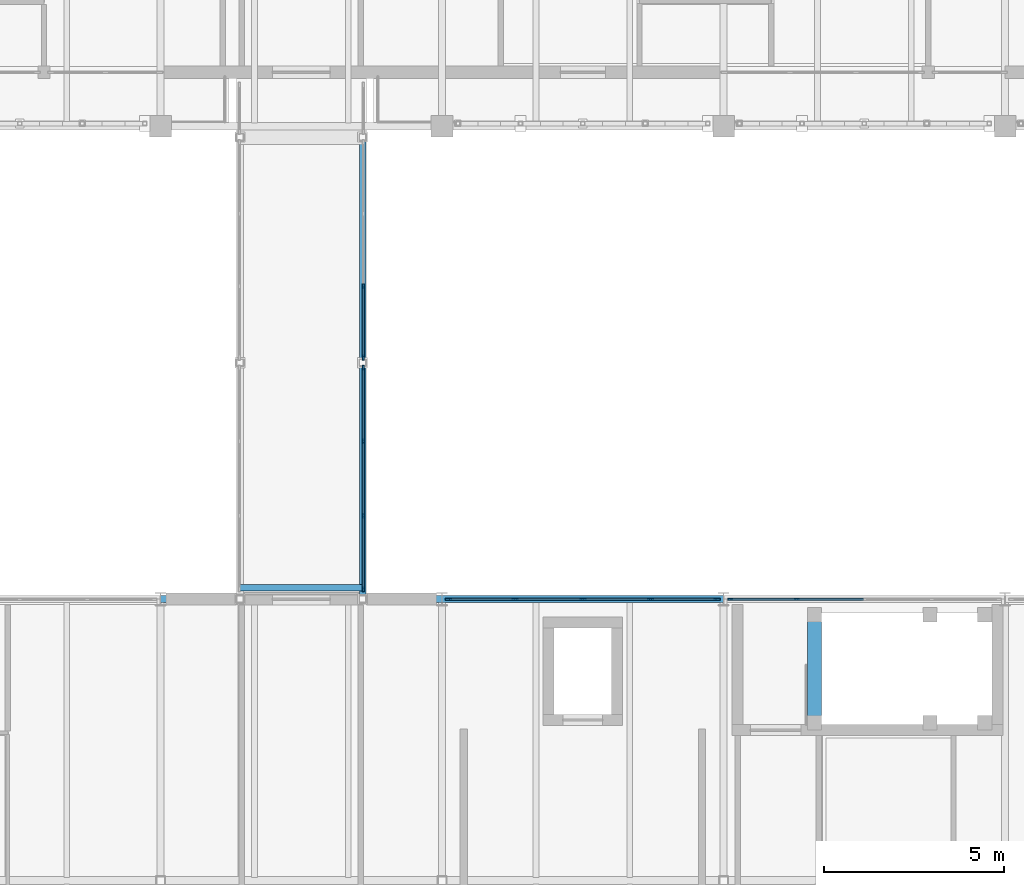
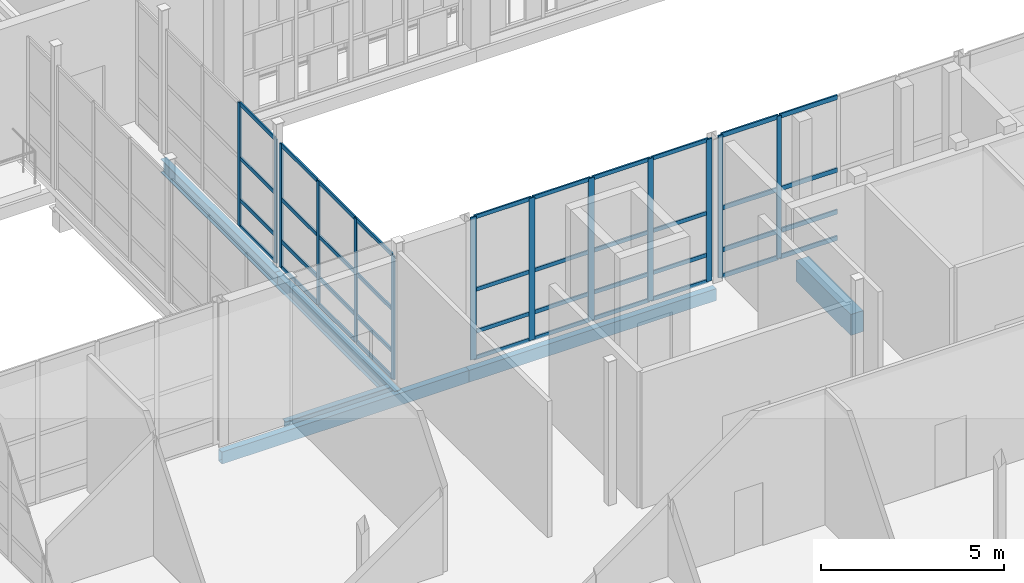
# One storey, part 68 of 138: 53 members, 6 beams, 4 elements without a shape of their own.
"""IFC4 building model written with IfcOpenShell, lengths in metres."""

from ifc_helpers import new_model, si_unit, direction, frame, origin, origin_2d, place, context, subcontext, project, spatial, rectangle, hollow_rectangle, i_section, extrude, material, layer, layer_set, material_profile, profile_set, type_object, element, aggregate, save


model = new_model("IFC4")

# Units and contexts
model_context = context("Model", 3, precision=1e-05, world=origin(), true_north=direction((0.0, 1.0)))
body_context = subcontext(model_context, "Body", "Model", "MODEL_VIEW")
ifc_project = project(units=[si_unit("LENGTHUNIT", "METRE"), si_unit("AREAUNIT", "SQUARE_METRE"), si_unit("VOLUMEUNIT", "CUBIC_METRE"), si_unit("PLANEANGLEUNIT", "RADIAN"), si_unit("MASSUNIT", "GRAM", prefix="KILO")], contexts=[model_context])

# Site, building, storey
site_placement = place(None, origin())
site = spatial("IfcSite", under=ifc_project, at=site_placement, CompositionType="ELEMENT")
building_placement = place(site_placement, origin())
building = spatial("IfcBuilding", under=site, at=building_placement, Name="Celorna Specialist Clinic", CompositionType="ELEMENT")
storey_placement = place(building_placement, frame((0.0, 0.0, 4.800048828125)))
storey = spatial("IfcBuildingStorey", under=building, at=storey_placement, Name="L01", CompositionType="ELEMENT", Elevation=4.800048828125)

# Beams
ifc_material_1 = material(Name="Steel S355", Category="steel")
ifc_material_profile_1 = material_profile(ifc_material_1, i_section(OverallWidth=0.18994140625, OverallDepth=0.449951171875, WebThickness=0.009521484375, FlangeThickness=0.0146484375, at=origin_2d()), Name="IPE 450")
ifc_profile_set_1 = profile_set([ifc_material_profile_1], Name="Steel S355")
beam_type_1 = type_object("IfcBeamType", Name="BM-09", PredefinedType="BEAM", material=ifc_profile_set_1)
beam_1_placement = place(storey_placement, frame((146.0, 83.39990234375, -0.445068359375), z_axis=(0.0, 1.0, 0.0), x_axis=(-1.0, 0.0, 0.0)))
element("IfcBeam", 1, at=beam_1_placement, inside=storey, type_object=beam_type_1, Name="Bridge BR-05 edge girder BM-09 #118", PredefinedType="BEAM", context=body_context, shape_type="SweptSolid", body=[
    extrude(i_section(OverallWidth=0.18994140625, OverallDepth=0.449951171875, WebThickness=0.009521484375, FlangeThickness=0.0146484375, at=origin_2d()), origin(), (0.0, 0.0, 1.0), 6.550048828125),
])
beam_2_placement = place(storey_placement, frame((146.0, 89.949951171875, -0.445068359375), z_axis=(0.0, 1.0, 0.0), x_axis=(-1.0, 0.0, 0.0)))
element("IfcBeam", 2, at=beam_2_placement, inside=storey, type_object=beam_type_1, Name="Bridge BR-05 edge girder BM-09 #119", PredefinedType="BEAM", context=body_context, shape_type="SweptSolid", body=[
    extrude(i_section(OverallWidth=0.18994140625, OverallDepth=0.449951171875, WebThickness=0.009521484375, FlangeThickness=0.0146484375, at=origin_2d()), origin(), (0.0, 0.0, 1.0), 6.25),
])
ifc_material_profile_2 = material_profile(ifc_material_1, i_section(OverallWidth=0.179931640625, OverallDepth=0.39990234375, WebThickness=0.008544921875, FlangeThickness=0.013427734375, at=origin_2d()), Name="IPE 400")
ifc_profile_set_2 = profile_set([ifc_material_profile_2], Name="Steel S355")
beam_type_2 = type_object("IfcBeamType", Name="BM-10", PredefinedType="BEAM", material=ifc_profile_set_2)
beam_3_placement = place(storey_placement, frame((142.60009765625, 83.719970703125, -0.420166015625), z_axis=(1.0, 0.0, 0.0), x_axis=(0.0, 1.0, 0.0)))
element("IfcBeam", 3, at=beam_3_placement, inside=storey, type_object=beam_type_2, Name="Bridge BR-05 transverse beam BM-10 #121", PredefinedType="BEAM", context=body_context, shape_type="SweptSolid", body=[
    extrude(i_section(OverallWidth=0.179931640625, OverallDepth=0.39990234375, WebThickness=0.008544921875, FlangeThickness=0.013427734375, at=origin_2d()), origin(), (0.0, 0.0, 1.0), 3.39990234375),
])
ifc_material_profile_3 = material_profile(ifc_material_1, hollow_rectangle(XDim=0.199951171875, YDim=0.39990234375, WallThickness=0.011962890625, at=origin_2d()), Name="RHS 200x400x12")
ifc_profile_set_3 = profile_set([ifc_material_profile_3], Name="Steel S355")
beam_type_3 = type_object("IfcBeamType", Name="BM-15", PredefinedType="SPANDREL", material=ifc_profile_set_3)
for number, where, z_axis, x_axis, name in (
    (4, (140.39990234375, 83.39990234375, -0.4599609375), (1.0, 0.0, 0.0), (0.0, 1.0, 0.0), "Spandrel beam BM-15 #625"),
    (5, (148.199951171875, 83.39990234375, -0.4599609375), (1.0, 0.0, 0.0), (0.0, 1.0, 0.0), "Spandrel beam BM-15 #626"),
):
    element("IfcBeam", number, at=place(storey_placement, frame(where, z_axis=z_axis, x_axis=x_axis)), inside=storey, type_object=beam_type_3, Name=name, PredefinedType="SPANDREL", context=body_context, shape_type="SweptSolid", body=[
        extrude(hollow_rectangle(XDim=0.199951171875, YDim=0.39990234375, WallThickness=0.011962890625, at=origin_2d()), origin(), (0.0, 0.0, 1.0), 7.800048828125),
    ])
ifc_material_2 = material(Name="Concrete C35/45", Category="concrete")
ifc_material_profile_4 = material_profile(ifc_material_2, rectangle(XDim=0.39990234375, YDim=0.699951171875, at=origin_2d()), Name="RC 400x700")
ifc_profile_set_4 = profile_set([ifc_material_profile_4], Name="Concrete C35/45")
beam_type_4 = type_object("IfcBeamType", Name="BM-19", PredefinedType="BEAM", material=ifc_profile_set_4)
beam_4_placement = place(storey_placement, frame((158.52001953125, 79.969970703125, -0.275146484375), z_axis=(0.0, 1.0, 0.0), x_axis=(-1.0, 0.0, 0.0)))
element("IfcBeam", 6, at=beam_4_placement, inside=storey, type_object=beam_type_4, Name="Stair ST-12 floor landing trimmer beam L01", PredefinedType="BEAM", context=body_context, shape_type="SweptSolid", body=[
    extrude(rectangle(XDim=0.39990234375, YDim=0.699951171875, at=origin_2d()), origin(), (0.0, 0.0, 1.0), 3.0),
])

# Curtain wall, members
ifc_material_3 = material(Name="Thermally broken aluminium and solar-control glass curtain wall", Category="aluminium")
ifc_layer_1 = layer(ifc_material_3, 0.159912109375, Name="Thermally broken aluminium and solar-control glass curtain wall")
ifc_layer_set_1 = layer_set([ifc_layer_1], Name="Thermally broken aluminium and solar-control glass curtain wall")
curtain_wall_type_1 = type_object("IfcCurtainWallType", Name="CW-42", PredefinedType="NOTDEFINED", material=ifc_layer_set_1)
curtain_wall_1_placement = place(storey_placement, origin())
curtain_wall_1 = element("IfcCurtainWall", 7, at=curtain_wall_1_placement, inside=storey, type_object=curtain_wall_type_1, Name="Curtain wall CW-42 #81", PredefinedType="NOTDEFINED")
ifc_material_4 = material(Name="Anodized aluminium mullion", Category="aluminium")
ifc_material_profile_5 = material_profile(ifc_material_4, rectangle(XDim=0.050048828125, YDim=0.179931640625, at=origin_2d()), Name="ALU MULLION 50x180")
ifc_profile_set_5 = profile_set([ifc_material_profile_5], Name="Anodized aluminium mullion")
member_type_1 = type_object("IfcMemberType", Name="ML-02", PredefinedType="MULLION", material=ifc_profile_set_5)
member_1_placement = place(storey_placement, frame((148.37890625, 83.39990234375, 0.0), z_axis=(0.0, 0.0, 1.0), x_axis=(0.0, 1.0, 0.0)))
member_1 = element("IfcMember", 8, at=member_1_placement, type_object=member_type_1, Name="CW-42 mullion 1", PredefinedType="MULLION", context=body_context, shape_type="SweptSolid", body=[
    extrude(rectangle(XDim=0.050048828125, YDim=0.179931640625, at=origin_2d()), origin(), (0.0, 0.0, 1.0), 4.75),
])
member_2_placement = place(storey_placement, frame((150.22705078125, 83.39990234375, 0.0), z_axis=(0.0, 0.0, 1.0), x_axis=(0.0, 1.0, 0.0)))
member_2 = element("IfcMember", 9, at=member_2_placement, type_object=member_type_1, Name="CW-42 mullion 2", PredefinedType="MULLION", context=body_context, shape_type="SweptSolid", body=[
    extrude(rectangle(XDim=0.050048828125, YDim=0.179931640625, at=origin_2d()), origin(), (0.0, 0.0, 1.0), 4.75),
])
member_3_placement = place(storey_placement, frame((152.10009765625, 83.39990234375, 0.0), z_axis=(0.0, 0.0, 1.0), x_axis=(0.0, 1.0, 0.0)))
member_3 = element("IfcMember", 10, at=member_3_placement, type_object=member_type_1, Name="CW-42 mullion 3", PredefinedType="MULLION", context=body_context, shape_type="SweptSolid", body=[
    extrude(rectangle(XDim=0.050048828125, YDim=0.179931640625, at=origin_2d()), origin(), (0.0, 0.0, 1.0), 4.75),
])
member_4_placement = place(storey_placement, frame((153.972900390625, 83.39990234375, 0.0), z_axis=(0.0, 0.0, 1.0), x_axis=(0.0, 1.0, 0.0)))
member_4 = element("IfcMember", 11, at=member_4_placement, type_object=member_type_1, Name="CW-42 mullion 4", PredefinedType="MULLION", context=body_context, shape_type="SweptSolid", body=[
    extrude(rectangle(XDim=0.050048828125, YDim=0.179931640625, at=origin_2d()), origin(), (0.0, 0.0, 1.0), 4.75),
])
member_5_placement = place(storey_placement, frame((155.821044921875, 83.39990234375, 0.0), z_axis=(0.0, 0.0, 1.0), x_axis=(0.0, 1.0, 0.0)))
member_5 = element("IfcMember", 12, at=member_5_placement, type_object=member_type_1, Name="CW-42 mullion 5", PredefinedType="MULLION", context=body_context, shape_type="SweptSolid", body=[
    extrude(rectangle(XDim=0.050048828125, YDim=0.179931640625, at=origin_2d()), origin(), (0.0, 0.0, 1.0), 4.75),
])

ifc_layer_2 = layer(ifc_material_3, 0.159912109375, Name="Thermally broken aluminium and solar-control glass curtain wall")
ifc_layer_set_2 = layer_set([ifc_layer_2], Name="Thermally broken aluminium and solar-control glass curtain wall")
curtain_wall_type_2 = type_object("IfcCurtainWallType", Name="CW-40", PredefinedType="NOTDEFINED", material=ifc_layer_set_2)
curtain_wall_2_placement = place(storey_placement, origin())
curtain_wall_2 = element("IfcCurtainWall", 13, at=curtain_wall_2_placement, inside=storey, type_object=curtain_wall_type_2, Name="Curtain wall CW-40 #82", PredefinedType="NOTDEFINED")
ifc_material_profile_6 = material_profile(ifc_material_4, rectangle(XDim=0.050048828125, YDim=0.139892578125, at=origin_2d()), Name="ALU MULLION 50x140")
ifc_profile_set_6 = profile_set([ifc_material_profile_6], Name="Anodized aluminium mullion")
member_type_2 = type_object("IfcMemberType", Name="ML-03", PredefinedType="MULLION", material=ifc_profile_set_6)
member_6_placement = place(storey_placement, frame((156.178955078125, 83.39990234375, 0.0), z_axis=(0.0, 0.0, 1.0), x_axis=(0.0, 1.0, 0.0)))
member_6 = element("IfcMember", 14, at=member_6_placement, type_object=member_type_2, Name="CW-40 mullion 1", PredefinedType="MULLION", context=body_context, shape_type="SweptSolid", body=[
    extrude(rectangle(XDim=0.050048828125, YDim=0.139892578125, at=origin_2d()), origin(), (0.0, 0.0, 1.0), 4.75),
])
member_7_placement = place(storey_placement, frame((158.027099609375, 83.39990234375, 0.0), z_axis=(0.0, 0.0, 1.0), x_axis=(0.0, 1.0, 0.0)))
member_7 = element("IfcMember", 15, at=member_7_placement, type_object=member_type_2, Name="CW-40 mullion 2", PredefinedType="MULLION", context=body_context, shape_type="SweptSolid", body=[
    extrude(rectangle(XDim=0.050048828125, YDim=0.139892578125, at=origin_2d()), origin(), (0.0, 0.0, 1.0), 4.75),
])

ifc_layer_3 = layer(ifc_material_3, 0.159912109375, Name="Thermally broken aluminium and solar-control glass curtain wall")
ifc_layer_set_3 = layer_set([ifc_layer_3], Name="Thermally broken aluminium and solar-control glass curtain wall")
curtain_wall_type_3 = type_object("IfcCurtainWallType", Name="CW-117", PredefinedType="NOTDEFINED", material=ifc_layer_set_3)
curtain_wall_3_placement = place(storey_placement, origin())
curtain_wall_3 = element("IfcCurtainWall", 16, at=curtain_wall_3_placement, inside=storey, type_object=curtain_wall_type_3, Name="Curtain wall CW-117 #224", PredefinedType="NOTDEFINED")
member_8_placement = place(storey_placement, frame((146.02001953125, 92.0732421875, 0.0), z_axis=(0.0, 0.0, 1.0), x_axis=(1.0, 0.0, 0.0)))
member_8 = element("IfcMember", 17, at=member_8_placement, type_object=member_type_2, Name="CW-117 mullion 3", PredefinedType="MULLION", context=body_context, shape_type="SweptSolid", body=[
    extrude(rectangle(XDim=0.050048828125, YDim=0.139892578125, at=origin_2d()), origin(), (0.0, 0.0, 1.0), 4.1298828125),
])
member_9_placement = place(storey_placement, frame((146.02001953125, 90.094970703125, 0.0), z_axis=(0.0, 0.0, 1.0), x_axis=(1.0, 0.0, 0.0)))
member_9 = element("IfcMember", 18, at=member_9_placement, type_object=member_type_2, Name="CW-117 mullion 4", PredefinedType="MULLION", context=body_context, shape_type="SweptSolid", body=[
    extrude(rectangle(XDim=0.050048828125, YDim=0.139892578125, at=origin_2d()), origin(), (0.0, 0.0, 1.0), 4.1298828125),
])

ifc_layer_4 = layer(ifc_material_3, 0.159912109375, Name="Thermally broken aluminium and solar-control glass curtain wall")
ifc_layer_set_4 = layer_set([ifc_layer_4], Name="Thermally broken aluminium and solar-control glass curtain wall")
curtain_wall_type_4 = type_object("IfcCurtainWallType", Name="CW-116", PredefinedType="NOTDEFINED", material=ifc_layer_set_4)
curtain_wall_4_placement = place(storey_placement, origin())
curtain_wall_4 = element("IfcCurtainWall", 19, at=curtain_wall_4_placement, inside=storey, type_object=curtain_wall_type_4, Name="Curtain wall CW-116 #225", PredefinedType="NOTDEFINED")
member_10_placement = place(storey_placement, frame((146.02001953125, 89.804931640625, 0.0), z_axis=(0.0, 0.0, 1.0), x_axis=(1.0, 0.0, 0.0)))
member_10 = element("IfcMember", 20, at=member_10_placement, type_object=member_type_2, Name="CW-116 mullion 1", PredefinedType="MULLION", context=body_context, shape_type="SweptSolid", body=[
    extrude(rectangle(XDim=0.050048828125, YDim=0.139892578125, at=origin_2d()), origin(), (0.0, 0.0, 1.0), 4.1298828125),
])
member_11_placement = place(storey_placement, frame((146.02001953125, 87.77001953125, 0.0), z_axis=(0.0, 0.0, 1.0), x_axis=(1.0, 0.0, 0.0)))
member_11 = element("IfcMember", 21, at=member_11_placement, type_object=member_type_2, Name="CW-116 mullion 2", PredefinedType="MULLION", context=body_context, shape_type="SweptSolid", body=[
    extrude(rectangle(XDim=0.050048828125, YDim=0.139892578125, at=origin_2d()), origin(), (0.0, 0.0, 1.0), 4.1298828125),
])
member_12_placement = place(storey_placement, frame((146.02001953125, 85.7099609375, 0.0), z_axis=(0.0, 0.0, 1.0), x_axis=(1.0, 0.0, 0.0)))
member_12 = element("IfcMember", 22, at=member_12_placement, type_object=member_type_2, Name="CW-116 mullion 3", PredefinedType="MULLION", context=body_context, shape_type="SweptSolid", body=[
    extrude(rectangle(XDim=0.050048828125, YDim=0.139892578125, at=origin_2d()), origin(), (0.0, 0.0, 1.0), 4.1298828125),
])
member_13_placement = place(storey_placement, frame((146.02001953125, 83.675048828125, 0.0), z_axis=(0.0, 0.0, 1.0), x_axis=(1.0, 0.0, 0.0)))
member_13 = element("IfcMember", 23, at=member_13_placement, type_object=member_type_2, Name="CW-116 mullion 4", PredefinedType="MULLION", context=body_context, shape_type="SweptSolid", body=[
    extrude(rectangle(XDim=0.050048828125, YDim=0.139892578125, at=origin_2d()), origin(), (0.0, 0.0, 1.0), 4.1298828125),
])

# Member
ifc_material_5 = material(Name="Anodized aluminium transom", Category="aluminium")
ifc_material_profile_7 = material_profile(ifc_material_5, rectangle(XDim=0.050048828125, YDim=0.1298828125, at=origin_2d()), Name="ALU TRANSOM 50x130")
ifc_profile_set_7 = profile_set([ifc_material_profile_7], Name="Anodized aluminium transom")
member_type_3 = type_object("IfcMemberType", Name="TR-01", PredefinedType="USERDEFINED", material=ifc_profile_set_7)
member_14_placement = place(storey_placement, frame((148.404052734375, 83.39990234375, 0.02490234375), z_axis=(1.0, 0.0, 0.0), x_axis=(0.0, 1.0, 0.0)))
member_14 = element("IfcMember", 24, at=member_14_placement, type_object=member_type_3, Name="CW-42 transom 1.1", ObjectType="TRANSOM", PredefinedType="USERDEFINED", context=body_context, shape_type="SweptSolid", body=[
    extrude(rectangle(XDim=0.050048828125, YDim=0.1298828125, at=origin_2d()), origin(), (0.0, 0.0, 1.0), 1.7978515625),
])

member_15_placement = place(storey_placement, frame((148.404052734375, 83.39990234375, 0.89990234375), z_axis=(1.0, 0.0, 0.0), x_axis=(0.0, 1.0, 0.0)))
member_15 = element("IfcMember", 25, at=member_15_placement, type_object=member_type_3, Name="CW-42 transom 1.2", ObjectType="TRANSOM", PredefinedType="USERDEFINED", context=body_context, shape_type="SweptSolid", body=[
    extrude(rectangle(XDim=0.050048828125, YDim=0.1298828125, at=origin_2d()), origin(), (0.0, 0.0, 1.0), 1.7978515625),
])

member_16_placement = place(storey_placement, frame((148.404052734375, 83.39990234375, 2.300048828125), z_axis=(1.0, 0.0, 0.0), x_axis=(0.0, 1.0, 0.0)))
member_16 = element("IfcMember", 26, at=member_16_placement, type_object=member_type_3, Name="CW-42 transom 1.3", ObjectType="TRANSOM", PredefinedType="USERDEFINED", context=body_context, shape_type="SweptSolid", body=[
    extrude(rectangle(XDim=0.050048828125, YDim=0.1298828125, at=origin_2d()), origin(), (0.0, 0.0, 1.0), 1.7978515625),
])

member_17_placement = place(storey_placement, frame((148.404052734375, 83.39990234375, 4.724853515625), z_axis=(1.0, 0.0, 0.0), x_axis=(0.0, 1.0, 0.0)))
member_17 = element("IfcMember", 27, at=member_17_placement, type_object=member_type_3, Name="CW-42 transom 1.4", ObjectType="TRANSOM", PredefinedType="USERDEFINED", context=body_context, shape_type="SweptSolid", body=[
    extrude(rectangle(XDim=0.050048828125, YDim=0.1298828125, at=origin_2d()), origin(), (0.0, 0.0, 1.0), 1.7978515625),
])

member_18_placement = place(storey_placement, frame((150.251953125, 83.39990234375, 0.02490234375), z_axis=(1.0, 0.0, 0.0), x_axis=(0.0, 1.0, 0.0)))
member_18 = element("IfcMember", 28, at=member_18_placement, type_object=member_type_3, Name="CW-42 transom 2.1", ObjectType="TRANSOM", PredefinedType="USERDEFINED", context=body_context, shape_type="SweptSolid", body=[
    extrude(rectangle(XDim=0.050048828125, YDim=0.1298828125, at=origin_2d()), origin(), (0.0, 0.0, 1.0), 1.822998046875),
])

member_19_placement = place(storey_placement, frame((150.251953125, 83.39990234375, 0.89990234375), z_axis=(1.0, 0.0, 0.0), x_axis=(0.0, 1.0, 0.0)))
member_19 = element("IfcMember", 29, at=member_19_placement, type_object=member_type_3, Name="CW-42 transom 2.2", ObjectType="TRANSOM", PredefinedType="USERDEFINED", context=body_context, shape_type="SweptSolid", body=[
    extrude(rectangle(XDim=0.050048828125, YDim=0.1298828125, at=origin_2d()), origin(), (0.0, 0.0, 1.0), 1.822998046875),
])

member_20_placement = place(storey_placement, frame((150.251953125, 83.39990234375, 2.300048828125), z_axis=(1.0, 0.0, 0.0), x_axis=(0.0, 1.0, 0.0)))
member_20 = element("IfcMember", 30, at=member_20_placement, type_object=member_type_3, Name="CW-42 transom 2.3", ObjectType="TRANSOM", PredefinedType="USERDEFINED", context=body_context, shape_type="SweptSolid", body=[
    extrude(rectangle(XDim=0.050048828125, YDim=0.1298828125, at=origin_2d()), origin(), (0.0, 0.0, 1.0), 1.822998046875),
])

member_21_placement = place(storey_placement, frame((150.251953125, 83.39990234375, 4.724853515625), z_axis=(1.0, 0.0, 0.0), x_axis=(0.0, 1.0, 0.0)))
member_21 = element("IfcMember", 31, at=member_21_placement, type_object=member_type_3, Name="CW-42 transom 2.4", ObjectType="TRANSOM", PredefinedType="USERDEFINED", context=body_context, shape_type="SweptSolid", body=[
    extrude(rectangle(XDim=0.050048828125, YDim=0.1298828125, at=origin_2d()), origin(), (0.0, 0.0, 1.0), 1.822998046875),
])

member_22_placement = place(storey_placement, frame((152.125, 83.39990234375, 0.02490234375), z_axis=(1.0, 0.0, 0.0), x_axis=(0.0, 1.0, 0.0)))
member_22 = element("IfcMember", 32, at=member_22_placement, type_object=member_type_3, Name="CW-42 transom 3.1", ObjectType="TRANSOM", PredefinedType="USERDEFINED", context=body_context, shape_type="SweptSolid", body=[
    extrude(rectangle(XDim=0.050048828125, YDim=0.1298828125, at=origin_2d()), origin(), (0.0, 0.0, 1.0), 1.822998046875),
])

member_23_placement = place(storey_placement, frame((152.125, 83.39990234375, 0.89990234375), z_axis=(1.0, 0.0, 0.0), x_axis=(0.0, 1.0, 0.0)))
member_23 = element("IfcMember", 33, at=member_23_placement, type_object=member_type_3, Name="CW-42 transom 3.2", ObjectType="TRANSOM", PredefinedType="USERDEFINED", context=body_context, shape_type="SweptSolid", body=[
    extrude(rectangle(XDim=0.050048828125, YDim=0.1298828125, at=origin_2d()), origin(), (0.0, 0.0, 1.0), 1.822998046875),
])

member_24_placement = place(storey_placement, frame((152.125, 83.39990234375, 2.300048828125), z_axis=(1.0, 0.0, 0.0), x_axis=(0.0, 1.0, 0.0)))
member_24 = element("IfcMember", 34, at=member_24_placement, type_object=member_type_3, Name="CW-42 transom 3.3", ObjectType="TRANSOM", PredefinedType="USERDEFINED", context=body_context, shape_type="SweptSolid", body=[
    extrude(rectangle(XDim=0.050048828125, YDim=0.1298828125, at=origin_2d()), origin(), (0.0, 0.0, 1.0), 1.822998046875),
])

member_25_placement = place(storey_placement, frame((152.125, 83.39990234375, 4.724853515625), z_axis=(1.0, 0.0, 0.0), x_axis=(0.0, 1.0, 0.0)))
member_25 = element("IfcMember", 35, at=member_25_placement, type_object=member_type_3, Name="CW-42 transom 3.4", ObjectType="TRANSOM", PredefinedType="USERDEFINED", context=body_context, shape_type="SweptSolid", body=[
    extrude(rectangle(XDim=0.050048828125, YDim=0.1298828125, at=origin_2d()), origin(), (0.0, 0.0, 1.0), 1.822998046875),
])

member_26_placement = place(storey_placement, frame((153.998046875, 83.39990234375, 0.02490234375), z_axis=(1.0, 0.0, 0.0), x_axis=(0.0, 1.0, 0.0)))
member_26 = element("IfcMember", 36, at=member_26_placement, type_object=member_type_3, Name="CW-42 transom 4.1", ObjectType="TRANSOM", PredefinedType="USERDEFINED", context=body_context, shape_type="SweptSolid", body=[
    extrude(rectangle(XDim=0.050048828125, YDim=0.1298828125, at=origin_2d()), origin(), (0.0, 0.0, 1.0), 1.7978515625),
])

member_27_placement = place(storey_placement, frame((153.998046875, 83.39990234375, 0.89990234375), z_axis=(1.0, 0.0, 0.0), x_axis=(0.0, 1.0, 0.0)))
member_27 = element("IfcMember", 37, at=member_27_placement, type_object=member_type_3, Name="CW-42 transom 4.2", ObjectType="TRANSOM", PredefinedType="USERDEFINED", context=body_context, shape_type="SweptSolid", body=[
    extrude(rectangle(XDim=0.050048828125, YDim=0.1298828125, at=origin_2d()), origin(), (0.0, 0.0, 1.0), 1.7978515625),
])

member_28_placement = place(storey_placement, frame((153.998046875, 83.39990234375, 2.300048828125), z_axis=(1.0, 0.0, 0.0), x_axis=(0.0, 1.0, 0.0)))
member_28 = element("IfcMember", 38, at=member_28_placement, type_object=member_type_3, Name="CW-42 transom 4.3", ObjectType="TRANSOM", PredefinedType="USERDEFINED", context=body_context, shape_type="SweptSolid", body=[
    extrude(rectangle(XDim=0.050048828125, YDim=0.1298828125, at=origin_2d()), origin(), (0.0, 0.0, 1.0), 1.7978515625),
])

member_29_placement = place(storey_placement, frame((153.998046875, 83.39990234375, 4.724853515625), z_axis=(1.0, 0.0, 0.0), x_axis=(0.0, 1.0, 0.0)))
member_29 = element("IfcMember", 39, at=member_29_placement, type_object=member_type_3, Name="CW-42 transom 4.4", ObjectType="TRANSOM", PredefinedType="USERDEFINED", context=body_context, shape_type="SweptSolid", body=[
    extrude(rectangle(XDim=0.050048828125, YDim=0.1298828125, at=origin_2d()), origin(), (0.0, 0.0, 1.0), 1.7978515625),
])

aggregate(curtain_wall_1, [member_1, member_2, member_3, member_4, member_5, member_14, member_15, member_16, member_17, member_18, member_19, member_20, member_21, member_22, member_23, member_24, member_25, member_26, member_27, member_28, member_29])

member_30_placement = place(storey_placement, frame((146.02001953125, 92.04833984375, 0.02490234375), z_axis=(0.0, -1.0, 0.0), x_axis=(1.0, 0.0, 0.0)))
member_30 = element("IfcMember", 40, at=member_30_placement, type_object=member_type_3, Name="CW-117 transom 3.1", ObjectType="TRANSOM", PredefinedType="USERDEFINED", context=body_context, shape_type="SweptSolid", body=[
    extrude(rectangle(XDim=0.050048828125, YDim=0.1298828125, at=origin_2d()), origin(), (0.0, 0.0, 1.0), 1.92822265625),
])

member_31_placement = place(storey_placement, frame((146.02001953125, 92.04833984375, 0.89990234375), z_axis=(0.0, -1.0, 0.0), x_axis=(1.0, 0.0, 0.0)))
member_31 = element("IfcMember", 41, at=member_31_placement, type_object=member_type_3, Name="CW-117 transom 3.2", ObjectType="TRANSOM", PredefinedType="USERDEFINED", context=body_context, shape_type="SweptSolid", body=[
    extrude(rectangle(XDim=0.050048828125, YDim=0.1298828125, at=origin_2d()), origin(), (0.0, 0.0, 1.0), 1.92822265625),
])

member_32_placement = place(storey_placement, frame((146.02001953125, 92.04833984375, 2.300048828125), z_axis=(0.0, -1.0, 0.0), x_axis=(1.0, 0.0, 0.0)))
member_32 = element("IfcMember", 42, at=member_32_placement, type_object=member_type_3, Name="CW-117 transom 3.3", ObjectType="TRANSOM", PredefinedType="USERDEFINED", context=body_context, shape_type="SweptSolid", body=[
    extrude(rectangle(XDim=0.050048828125, YDim=0.1298828125, at=origin_2d()), origin(), (0.0, 0.0, 1.0), 1.92822265625),
])

member_33_placement = place(storey_placement, frame((146.02001953125, 92.04833984375, 4.10498046875), z_axis=(0.0, -1.0, 0.0), x_axis=(1.0, 0.0, 0.0)))
member_33 = element("IfcMember", 43, at=member_33_placement, type_object=member_type_3, Name="CW-117 transom 3.4", ObjectType="TRANSOM", PredefinedType="USERDEFINED", context=body_context, shape_type="SweptSolid", body=[
    extrude(rectangle(XDim=0.050048828125, YDim=0.1298828125, at=origin_2d()), origin(), (0.0, 0.0, 1.0), 1.92822265625),
])

aggregate(curtain_wall_3, [member_8, member_9, member_30, member_31, member_32, member_33])

member_34_placement = place(storey_placement, frame((146.02001953125, 89.780029296875, 0.02490234375), z_axis=(0.0, -1.0, 0.0), x_axis=(1.0, 0.0, 0.0)))
member_34 = element("IfcMember", 44, at=member_34_placement, type_object=member_type_3, Name="CW-116 transom 1.1", ObjectType="TRANSOM", PredefinedType="USERDEFINED", context=body_context, shape_type="SweptSolid", body=[
    extrude(rectangle(XDim=0.050048828125, YDim=0.1298828125, at=origin_2d()), origin(), (0.0, 0.0, 1.0), 1.985107421875),
])

member_35_placement = place(storey_placement, frame((146.02001953125, 89.780029296875, 0.89990234375), z_axis=(0.0, -1.0, 0.0), x_axis=(1.0, 0.0, 0.0)))
member_35 = element("IfcMember", 45, at=member_35_placement, type_object=member_type_3, Name="CW-116 transom 1.2", ObjectType="TRANSOM", PredefinedType="USERDEFINED", context=body_context, shape_type="SweptSolid", body=[
    extrude(rectangle(XDim=0.050048828125, YDim=0.1298828125, at=origin_2d()), origin(), (0.0, 0.0, 1.0), 1.985107421875),
])

member_36_placement = place(storey_placement, frame((146.02001953125, 89.780029296875, 2.300048828125), z_axis=(0.0, -1.0, 0.0), x_axis=(1.0, 0.0, 0.0)))
member_36 = element("IfcMember", 46, at=member_36_placement, type_object=member_type_3, Name="CW-116 transom 1.3", ObjectType="TRANSOM", PredefinedType="USERDEFINED", context=body_context, shape_type="SweptSolid", body=[
    extrude(rectangle(XDim=0.050048828125, YDim=0.1298828125, at=origin_2d()), origin(), (0.0, 0.0, 1.0), 1.985107421875),
])

member_37_placement = place(storey_placement, frame((146.02001953125, 89.780029296875, 4.10498046875), z_axis=(0.0, -1.0, 0.0), x_axis=(1.0, 0.0, 0.0)))
member_37 = element("IfcMember", 47, at=member_37_placement, type_object=member_type_3, Name="CW-116 transom 1.4", ObjectType="TRANSOM", PredefinedType="USERDEFINED", context=body_context, shape_type="SweptSolid", body=[
    extrude(rectangle(XDim=0.050048828125, YDim=0.1298828125, at=origin_2d()), origin(), (0.0, 0.0, 1.0), 1.985107421875),
])

member_38_placement = place(storey_placement, frame((146.02001953125, 87.7451171875, 0.02490234375), z_axis=(0.0, -1.0, 0.0), x_axis=(1.0, 0.0, 0.0)))
member_38 = element("IfcMember", 48, at=member_38_placement, type_object=member_type_3, Name="CW-116 transom 2.1", ObjectType="TRANSOM", PredefinedType="USERDEFINED", context=body_context, shape_type="SweptSolid", body=[
    extrude(rectangle(XDim=0.050048828125, YDim=0.1298828125, at=origin_2d()), origin(), (0.0, 0.0, 1.0), 2.010009765625),
])

member_39_placement = place(storey_placement, frame((146.02001953125, 87.7451171875, 0.89990234375), z_axis=(0.0, -1.0, 0.0), x_axis=(1.0, 0.0, 0.0)))
member_39 = element("IfcMember", 49, at=member_39_placement, type_object=member_type_3, Name="CW-116 transom 2.2", ObjectType="TRANSOM", PredefinedType="USERDEFINED", context=body_context, shape_type="SweptSolid", body=[
    extrude(rectangle(XDim=0.050048828125, YDim=0.1298828125, at=origin_2d()), origin(), (0.0, 0.0, 1.0), 2.010009765625),
])

member_40_placement = place(storey_placement, frame((146.02001953125, 87.7451171875, 2.300048828125), z_axis=(0.0, -1.0, 0.0), x_axis=(1.0, 0.0, 0.0)))
member_40 = element("IfcMember", 50, at=member_40_placement, type_object=member_type_3, Name="CW-116 transom 2.3", ObjectType="TRANSOM", PredefinedType="USERDEFINED", context=body_context, shape_type="SweptSolid", body=[
    extrude(rectangle(XDim=0.050048828125, YDim=0.1298828125, at=origin_2d()), origin(), (0.0, 0.0, 1.0), 2.010009765625),
])

member_41_placement = place(storey_placement, frame((146.02001953125, 87.7451171875, 4.10498046875), z_axis=(0.0, -1.0, 0.0), x_axis=(1.0, 0.0, 0.0)))
member_41 = element("IfcMember", 51, at=member_41_placement, type_object=member_type_3, Name="CW-116 transom 2.4", ObjectType="TRANSOM", PredefinedType="USERDEFINED", context=body_context, shape_type="SweptSolid", body=[
    extrude(rectangle(XDim=0.050048828125, YDim=0.1298828125, at=origin_2d()), origin(), (0.0, 0.0, 1.0), 2.010009765625),
])

member_42_placement = place(storey_placement, frame((146.02001953125, 85.68505859375, 0.02490234375), z_axis=(0.0, -1.0, 0.0), x_axis=(1.0, 0.0, 0.0)))
member_42 = element("IfcMember", 52, at=member_42_placement, type_object=member_type_3, Name="CW-116 transom 3.1", ObjectType="TRANSOM", PredefinedType="USERDEFINED", context=body_context, shape_type="SweptSolid", body=[
    extrude(rectangle(XDim=0.050048828125, YDim=0.1298828125, at=origin_2d()), origin(), (0.0, 0.0, 1.0), 1.985107421875),
])

member_43_placement = place(storey_placement, frame((146.02001953125, 85.68505859375, 0.89990234375), z_axis=(0.0, -1.0, 0.0), x_axis=(1.0, 0.0, 0.0)))
member_43 = element("IfcMember", 53, at=member_43_placement, type_object=member_type_3, Name="CW-116 transom 3.2", ObjectType="TRANSOM", PredefinedType="USERDEFINED", context=body_context, shape_type="SweptSolid", body=[
    extrude(rectangle(XDim=0.050048828125, YDim=0.1298828125, at=origin_2d()), origin(), (0.0, 0.0, 1.0), 1.985107421875),
])

member_44_placement = place(storey_placement, frame((146.02001953125, 85.68505859375, 2.300048828125), z_axis=(0.0, -1.0, 0.0), x_axis=(1.0, 0.0, 0.0)))
member_44 = element("IfcMember", 54, at=member_44_placement, type_object=member_type_3, Name="CW-116 transom 3.3", ObjectType="TRANSOM", PredefinedType="USERDEFINED", context=body_context, shape_type="SweptSolid", body=[
    extrude(rectangle(XDim=0.050048828125, YDim=0.1298828125, at=origin_2d()), origin(), (0.0, 0.0, 1.0), 1.985107421875),
])

member_45_placement = place(storey_placement, frame((146.02001953125, 85.68505859375, 4.10498046875), z_axis=(0.0, -1.0, 0.0), x_axis=(1.0, 0.0, 0.0)))
member_45 = element("IfcMember", 55, at=member_45_placement, type_object=member_type_3, Name="CW-116 transom 3.4", ObjectType="TRANSOM", PredefinedType="USERDEFINED", context=body_context, shape_type="SweptSolid", body=[
    extrude(rectangle(XDim=0.050048828125, YDim=0.1298828125, at=origin_2d()), origin(), (0.0, 0.0, 1.0), 1.985107421875),
])

aggregate(curtain_wall_4, [member_10, member_11, member_12, member_13, member_34, member_35, member_36, member_37, member_38, member_39, member_40, member_41, member_42, member_43, member_44, member_45])

ifc_material_profile_8 = material_profile(ifc_material_5, rectangle(XDim=0.050048828125, YDim=0.14990234375, at=origin_2d()), Name="ALU TRANSOM 50x150")
ifc_profile_set_8 = profile_set([ifc_material_profile_8], Name="Anodized aluminium transom")
member_type_4 = type_object("IfcMemberType", Name="TR-02", PredefinedType="USERDEFINED", material=ifc_profile_set_8)
member_46_placement = place(storey_placement, frame((156.2041015625, 83.39990234375, 0.02490234375), z_axis=(1.0, 0.0, 0.0), x_axis=(0.0, 1.0, 0.0)))
member_46 = element("IfcMember", 56, at=member_46_placement, type_object=member_type_4, Name="CW-40 transom 1.1", ObjectType="TRANSOM", PredefinedType="USERDEFINED", context=body_context, shape_type="SweptSolid", body=[
    extrude(rectangle(XDim=0.050048828125, YDim=0.14990234375, at=origin_2d()), origin(), (0.0, 0.0, 1.0), 1.7978515625),
])

member_47_placement = place(storey_placement, frame((156.2041015625, 83.39990234375, 0.89990234375), z_axis=(1.0, 0.0, 0.0), x_axis=(0.0, 1.0, 0.0)))
member_47 = element("IfcMember", 57, at=member_47_placement, type_object=member_type_4, Name="CW-40 transom 1.2", ObjectType="TRANSOM", PredefinedType="USERDEFINED", context=body_context, shape_type="SweptSolid", body=[
    extrude(rectangle(XDim=0.050048828125, YDim=0.14990234375, at=origin_2d()), origin(), (0.0, 0.0, 1.0), 1.7978515625),
])

member_48_placement = place(storey_placement, frame((156.2041015625, 83.39990234375, 2.300048828125), z_axis=(1.0, 0.0, 0.0), x_axis=(0.0, 1.0, 0.0)))
member_48 = element("IfcMember", 58, at=member_48_placement, type_object=member_type_4, Name="CW-40 transom 1.3", ObjectType="TRANSOM", PredefinedType="USERDEFINED", context=body_context, shape_type="SweptSolid", body=[
    extrude(rectangle(XDim=0.050048828125, YDim=0.14990234375, at=origin_2d()), origin(), (0.0, 0.0, 1.0), 1.7978515625),
])

member_49_placement = place(storey_placement, frame((156.2041015625, 83.39990234375, 4.724853515625), z_axis=(1.0, 0.0, 0.0), x_axis=(0.0, 1.0, 0.0)))
member_49 = element("IfcMember", 59, at=member_49_placement, type_object=member_type_4, Name="CW-40 transom 1.4", ObjectType="TRANSOM", PredefinedType="USERDEFINED", context=body_context, shape_type="SweptSolid", body=[
    extrude(rectangle(XDim=0.050048828125, YDim=0.14990234375, at=origin_2d()), origin(), (0.0, 0.0, 1.0), 1.7978515625),
])

member_50_placement = place(storey_placement, frame((158.052001953125, 83.39990234375, 0.02490234375), z_axis=(1.0, 0.0, 0.0), x_axis=(0.0, 1.0, 0.0)))
member_50 = element("IfcMember", 60, at=member_50_placement, type_object=member_type_4, Name="CW-40 transom 2.1", ObjectType="TRANSOM", PredefinedType="USERDEFINED", context=body_context, shape_type="SweptSolid", body=[
    extrude(rectangle(XDim=0.050048828125, YDim=0.14990234375, at=origin_2d()), origin(), (0.0, 0.0, 1.0), 1.822998046875),
])

member_51_placement = place(storey_placement, frame((158.052001953125, 83.39990234375, 0.89990234375), z_axis=(1.0, 0.0, 0.0), x_axis=(0.0, 1.0, 0.0)))
member_51 = element("IfcMember", 61, at=member_51_placement, type_object=member_type_4, Name="CW-40 transom 2.2", ObjectType="TRANSOM", PredefinedType="USERDEFINED", context=body_context, shape_type="SweptSolid", body=[
    extrude(rectangle(XDim=0.050048828125, YDim=0.14990234375, at=origin_2d()), origin(), (0.0, 0.0, 1.0), 1.822998046875),
])

member_52_placement = place(storey_placement, frame((158.052001953125, 83.39990234375, 2.300048828125), z_axis=(1.0, 0.0, 0.0), x_axis=(0.0, 1.0, 0.0)))
member_52 = element("IfcMember", 62, at=member_52_placement, type_object=member_type_4, Name="CW-40 transom 2.3", ObjectType="TRANSOM", PredefinedType="USERDEFINED", context=body_context, shape_type="SweptSolid", body=[
    extrude(rectangle(XDim=0.050048828125, YDim=0.14990234375, at=origin_2d()), origin(), (0.0, 0.0, 1.0), 1.822998046875),
])

member_53_placement = place(storey_placement, frame((158.052001953125, 83.39990234375, 4.724853515625), z_axis=(1.0, 0.0, 0.0), x_axis=(0.0, 1.0, 0.0)))
member_53 = element("IfcMember", 63, at=member_53_placement, type_object=member_type_4, Name="CW-40 transom 2.4", ObjectType="TRANSOM", PredefinedType="USERDEFINED", context=body_context, shape_type="SweptSolid", body=[
    extrude(rectangle(XDim=0.050048828125, YDim=0.14990234375, at=origin_2d()), origin(), (0.0, 0.0, 1.0), 1.822998046875),
])

aggregate(curtain_wall_2, [member_6, member_7, member_46, member_47, member_48, member_49, member_50, member_51, member_52, member_53])

save(model, "model.ifc")
